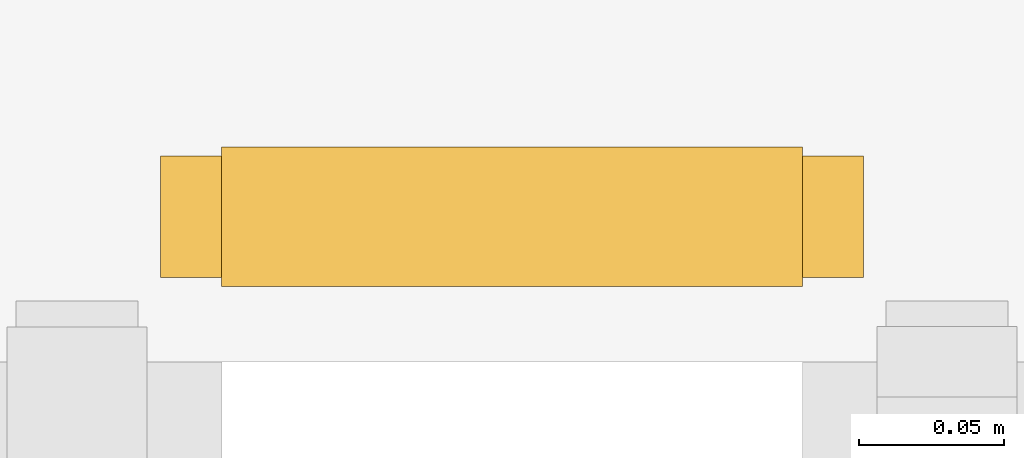
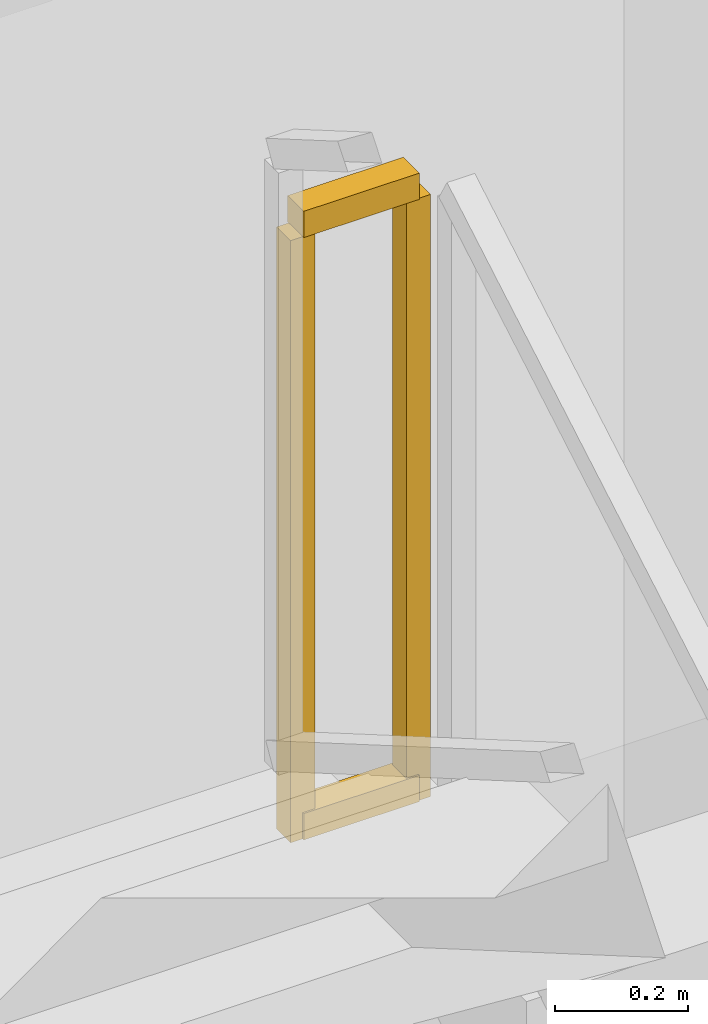
# One storey, part 37 of 37: 1 railing.
"""IFC4 building model written with IfcOpenShell, lengths in metres."""

from ifc_helpers import new_model, si_unit, direction, frame, origin, origin_2d, place, context, subcontext, project, spatial, rectangle, extrude, material, type_object, element, save


model = new_model("IFC4")

# Units and contexts
model_context = context("Model", 3, precision=1e-05, world=origin(), true_north=direction((0.0, 1.0)))
body_context = subcontext(model_context, "Body", "Model", "MODEL_VIEW")
ifc_project = project(units=[si_unit("LENGTHUNIT", "METRE"), si_unit("AREAUNIT", "SQUARE_METRE"), si_unit("VOLUMEUNIT", "CUBIC_METRE"), si_unit("PLANEANGLEUNIT", "RADIAN"), si_unit("MASSUNIT", "GRAM", prefix="KILO")], contexts=[model_context])

# Site, building, storey
site_placement = place(None, origin())
site = spatial("IfcSite", under=ifc_project, at=site_placement, CompositionType="ELEMENT")
building_placement = place(site_placement, origin())
building = spatial("IfcBuilding", under=site, at=building_placement, Name="Brelmoor Portico Tower", CompositionType="ELEMENT")
storey_placement = place(building_placement, frame((0.0, 0.0, 14.39990234375)))
storey = spatial("IfcBuildingStorey", under=building, at=storey_placement, Name="L03", CompositionType="ELEMENT", Elevation=14.39990234375)

# Railing
ifc_material = material(Name="Painted Tubular Steel Q235B", Category="steel")
railing_type = type_object("IfcRailingType", Name="RL-STAIR-GUARD", PredefinedType="GUARDRAIL", material=ifc_material)
railing_placement = place(storey_placement, frame((17.340087890625, 24.735107421875, 2.400146484375)))
element("IfcRailing", 1, at=railing_placement, inside=storey, type_object=railing_type, Name="L03 ST-P2 stair guard 2", PredefinedType="GUARDRAIL", context=body_context, shape_type="SweptSolid", body=[
    extrude(rectangle(XDim=0.048095703125, YDim=0.048095703125, at=origin_2d()), frame((0.0, 0.0, 1.1259765625), z_axis=(-1.0, 0.0, 0.0), x_axis=(0.0, -1.0, 0.0)), (0.0, 0.0, 1.0), 0.2001953125),
    extrude(rectangle(XDim=0.048095703125, YDim=0.048095703125, at=origin_2d()), frame((0.0, 0.0, 0.02392578125), z_axis=(-1.0, 0.0, 0.0), x_axis=(0.0, -1.0, 0.0)), (0.0, 0.0, 1.0), 0.2001953125),
    extrude(rectangle(XDim=0.0419921875, YDim=0.0419921875, at=origin_2d()), origin(), (0.0, 0.0, 1.0), 1.101806640625),
    extrude(rectangle(XDim=0.0419921875, YDim=0.0419921875, at=origin_2d()), frame((-0.2001953125, 0.0, 0.0)), (0.0, 0.0, 1.0), 1.101806640625),
])

save(model, "model.ifc")
